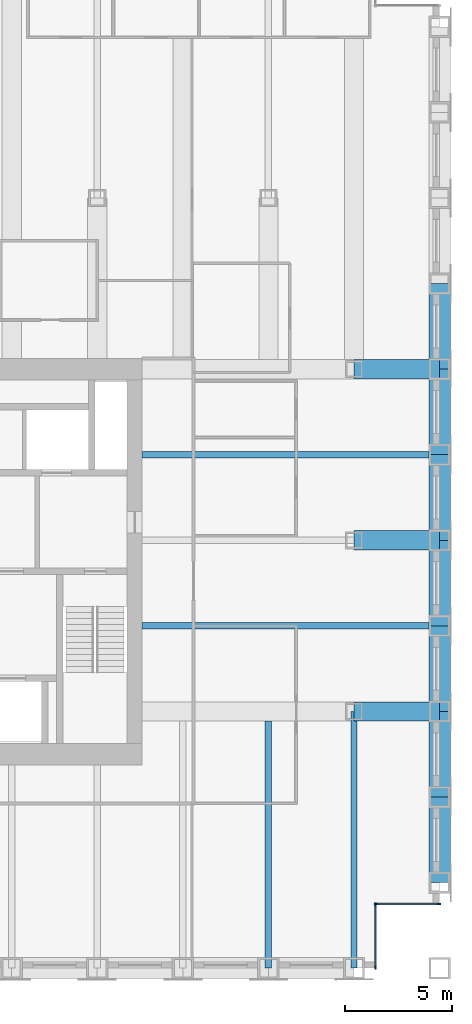
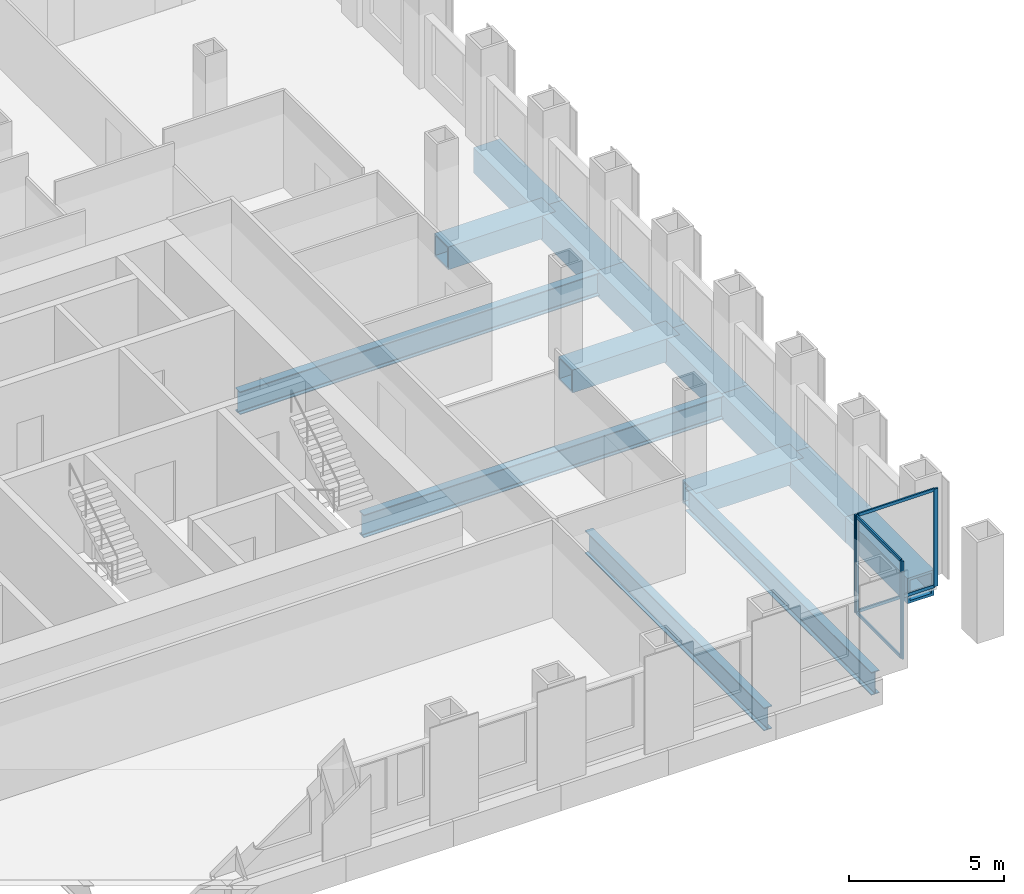
# One storey, part 4 of 13: 14 beams, 8 members, 2 elements without a shape of their own.
"""IFC4 building model written with IfcOpenShell, lengths in metres."""

from ifc_helpers import new_model, si_unit, direction, frame, origin, origin_2d, place, context, subcontext, project, spatial, rectangle, hollow_rectangle, i_section, extrude, material, material_profile, profile_set, type_object, element, aggregate, save


model = new_model("IFC4")

# Units and contexts
model_context = context("Model", 3, precision=1e-05, world=origin(), true_north=direction((0.0, 1.0)))
body_context = subcontext(model_context, "Body", "Model", "MODEL_VIEW")
ifc_project = project(units=[si_unit("LENGTHUNIT", "METRE"), si_unit("AREAUNIT", "SQUARE_METRE"), si_unit("VOLUMEUNIT", "CUBIC_METRE"), si_unit("PLANEANGLEUNIT", "RADIAN"), si_unit("MASSUNIT", "GRAM", prefix="KILO")], contexts=[model_context])

# Site, building, storey
site_placement = place(None, origin())
site = spatial("IfcSite", under=ifc_project, at=site_placement, CompositionType="ELEMENT")
building_placement = place(site_placement, origin())
building = spatial("IfcBuilding", under=site, at=building_placement, Name="Rimbunsela Tower", CompositionType="ELEMENT")
storey_placement = place(building_placement, frame((0.0, 0.0, 214.199951171875)))
storey = spatial("IfcBuildingStorey", under=building, at=storey_placement, Name="L51", CompositionType="ELEMENT", Elevation=214.199951171875)

# Beams
ifc_material_1 = material(Name="Steel BJ 55 (fy 410 MPa)", Category="steel")
ifc_material_profile_1 = material_profile(ifc_material_1, hollow_rectangle(XDim=1.0, YDim=1.0, WallThickness=0.10009765625, at=origin_2d()), Name="BOX 1000x1000x100")
ifc_profile_set_1 = profile_set([ifc_material_profile_1], Name="Steel BJ 55 (fy 410 MPa)")
beam_type_1 = type_object("IfcBeamType", Name="Beam BOX 1000x1000x100", PredefinedType="BEAM", material=ifc_profile_set_1)
for number, where, z_axis, x_axis, name in (
    (1, (50.0, 12.0, -0.64990234375), (0.0, 1.0, 0.0), (-1.0, 0.0, 0.0), "Beam B3 L51"),
    (2, (50.0, 16.0, -0.64990234375), (0.0, 1.0, 0.0), (-1.0, 0.0, 0.0), "Beam B3 L51"),
    (3, (50.0, 20.0, -0.64990234375), (0.0, 1.0, 0.0), (-1.0, 0.0, 0.0), "Beam B3 L51"),
    (4, (50.0, 24.0, -0.64990234375), (0.0, 1.0, 0.0), (-1.0, 0.0, 0.0), "Beam B3 L51"),
    (5, (50.0, 28.0, -0.64990234375), (0.0, 1.0, 0.0), (-1.0, 0.0, 0.0), "Beam B3 L51"),
    (6, (50.0, 32.0, -0.64990234375), (0.0, 1.0, 0.0), (-1.0, 0.0, 0.0), "Beam B3 L51"),
    (7, (50.0, 36.0, -0.64990234375), (0.0, 1.0, 0.0), (-1.0, 0.0, 0.0), "Beam B3 L51"),
):
    element("IfcBeam", number, at=place(storey_placement, frame(where, z_axis=z_axis, x_axis=x_axis)), inside=storey, type_object=beam_type_1, Name=name, PredefinedType="BEAM", context=body_context, shape_type="SweptSolid", body=[
        extrude(hollow_rectangle(XDim=1.0, YDim=1.0, WallThickness=0.10009765625, at=origin_2d()), origin(), (0.0, 0.0, 1.0), 4.0),
    ])
ifc_material_2 = material(Name="Steel BJ 55 (fy 410 MPa)", Category="steel")
ifc_material_profile_2 = material_profile(ifc_material_2, hollow_rectangle(XDim=0.89990234375, YDim=0.89990234375, WallThickness=0.06005859375, at=origin_2d()), Name="BOX 900x900x60")
ifc_profile_set_2 = profile_set([ifc_material_profile_2], Name="Steel BJ 55 (fy 410 MPa)")
beam_type_2 = type_object("IfcBeamType", Name="Beam BOX 900x900x60", PredefinedType="BEAM", material=ifc_profile_set_2)
for number, where, z_axis, x_axis, name in (
    (8, (46.0, 20.0, -0.599853515625), (1.0, 0.0, 0.0), (0.0, 1.0, 0.0), "Beam B1 L51"),
    (9, (46.0, 28.0, -0.599853515625), (1.0, 0.0, 0.0), (0.0, 1.0, 0.0), "Beam B1 L51"),
    (10, (46.0, 36.0, -0.599853515625), (1.0, 0.0, 0.0), (0.0, 1.0, 0.0), "Beam B1 L51"),
):
    element("IfcBeam", number, at=place(storey_placement, frame(where, z_axis=z_axis, x_axis=x_axis)), inside=storey, type_object=beam_type_2, Name=name, PredefinedType="BEAM", context=body_context, shape_type="SweptSolid", body=[
        extrude(hollow_rectangle(XDim=0.89990234375, YDim=0.89990234375, WallThickness=0.06005859375, at=origin_2d()), origin(), (0.0, 0.0, 1.0), 4.0),
    ])
ifc_material_3 = material(Name="Steel BJ 55 (fy 410 MPa)", Category="steel")
ifc_material_profile_3 = material_profile(ifc_material_3, i_section(OverallWidth=0.300048828125, OverallDepth=0.89990234375, WebThickness=0.01611328125, FlangeThickness=0.028076171875, FilletRadius=0.028076171875, at=origin_2d()), Name="H 900x300x16x28")
ifc_profile_set_3 = profile_set([ifc_material_profile_3], Name="Steel BJ 55 (fy 410 MPa)")
beam_type_3 = type_object("IfcBeamType", Name="Beam H 900x300x16x28", PredefinedType="BEAM", material=ifc_profile_set_3)
for number, where, z_axis, x_axis, name in (
    (11, (36.10009765625, 24.0, -0.599853515625), (1.0, 0.0, 0.0), (0.0, 1.0, 0.0), "Beam B2 L51"),
    (12, (36.10009765625, 32.0, -0.599853515625), (1.0, 0.0, 0.0), (0.0, 1.0, 0.0), "Beam B2 L51"),
):
    element("IfcBeam", number, at=place(storey_placement, frame(where, z_axis=z_axis, x_axis=x_axis)), inside=storey, type_object=beam_type_3, Name=name, PredefinedType="BEAM", context=body_context, shape_type="SweptSolid", body=[
        extrude(i_section(OverallWidth=0.300048828125, OverallDepth=0.89990234375, WebThickness=0.01611328125, FlangeThickness=0.028076171875, FilletRadius=0.028076171875, at=origin_2d()), origin(), (0.0, 0.0, 1.0), 13.89990234375),
    ])
beam_1_placement = place(storey_placement, frame((42.0, 8.0, -0.599853515625), z_axis=(0.0, 1.0, 0.0), x_axis=(-1.0, 0.0, 0.0)))
element("IfcBeam", 13, at=beam_1_placement, inside=storey, type_object=beam_type_3, Name="Beam B2 L51", PredefinedType="BEAM", context=body_context, shape_type="SweptSolid", body=[
    extrude(i_section(OverallWidth=0.300048828125, OverallDepth=0.89990234375, WebThickness=0.01611328125, FlangeThickness=0.028076171875, FilletRadius=0.028076171875, at=origin_2d()), origin(), (0.0, 0.0, 1.0), 11.550048828125),
])
beam_2_placement = place(storey_placement, frame((46.0, 8.0, -0.599853515625), z_axis=(0.0, 1.0, 0.0), x_axis=(-1.0, 0.0, 0.0)))
element("IfcBeam", 14, at=beam_2_placement, inside=storey, type_object=beam_type_3, Name="Beam B2 L51", PredefinedType="BEAM", context=body_context, shape_type="SweptSolid", body=[
    extrude(i_section(OverallWidth=0.300048828125, OverallDepth=0.89990234375, WebThickness=0.01611328125, FlangeThickness=0.028076171875, FilletRadius=0.028076171875, at=origin_2d()), origin(), (0.0, 0.0, 1.0), 12.0),
])

# Curtain wall, members
ifc_material_4 = material(Name="Aluminium curtain wall", Category="aluminium")
curtain_wall_type = type_object("IfcCurtainWallType", Name="Corner glazing", PredefinedType="USERDEFINED", material=ifc_material_4)
curtain_wall_1_placement = place(storey_placement, origin())
curtain_wall_1 = element("IfcCurtainWall", 15, at=curtain_wall_1_placement, inside=storey, type_object=curtain_wall_type, Name="Corner glazing L51", ObjectType="CORNER GLAZING", PredefinedType="USERDEFINED")
ifc_material_5 = material(Name="Aluminium mullion", Category="aluminium")
ifc_material_profile_4 = material_profile(ifc_material_5, rectangle(XDim=0.06005859375, YDim=0.159912109375, at=origin_2d()), Name="Mullion 60x160")
ifc_profile_set_4 = profile_set([ifc_material_profile_4], Name="Aluminium mullion")
member_type_1 = type_object("IfcMemberType", Name="Curtain wall mullion 60x160", PredefinedType="MULLION", material=ifc_profile_set_4)
member_1_placement = place(storey_placement, frame((47.0, 8.030029296875, 0.0), z_axis=(0.0, 0.0, 1.0), x_axis=(-1.0, 0.0, 0.0)))
member_1 = element("IfcMember", 16, at=member_1_placement, type_object=member_type_1, Name="CW5 mullion 1", PredefinedType="MULLION", context=body_context, shape_type="SweptSolid", body=[
    extrude(rectangle(XDim=0.06005859375, YDim=0.159912109375, at=origin_2d()), origin(), (0.0, 0.0, 1.0), 3.85009765625),
])
member_2_placement = place(storey_placement, frame((47.0, 10.969970703125, 0.0), z_axis=(0.0, 0.0, 1.0), x_axis=(-1.0, 0.0, 0.0)))
member_2 = element("IfcMember", 17, at=member_2_placement, type_object=member_type_1, Name="CW5 mullion 2", PredefinedType="MULLION", context=body_context, shape_type="SweptSolid", body=[
    extrude(rectangle(XDim=0.06005859375, YDim=0.159912109375, at=origin_2d()), origin(), (0.0, 0.0, 1.0), 3.85009765625),
])

curtain_wall_2_placement = place(storey_placement, origin())
curtain_wall_2 = element("IfcCurtainWall", 18, at=curtain_wall_2_placement, inside=storey, type_object=curtain_wall_type, Name="Corner glazing L51", ObjectType="CORNER GLAZING", PredefinedType="USERDEFINED")
member_3_placement = place(storey_placement, frame((47.030029296875, 11.0, 0.0), z_axis=(0.0, 0.0, 1.0), x_axis=(0.0, 1.0, 0.0)))
member_3 = element("IfcMember", 19, at=member_3_placement, type_object=member_type_1, Name="CW5 mullion 1", PredefinedType="MULLION", context=body_context, shape_type="SweptSolid", body=[
    extrude(rectangle(XDim=0.06005859375, YDim=0.159912109375, at=origin_2d()), origin(), (0.0, 0.0, 1.0), 3.85009765625),
])
member_4_placement = place(storey_placement, frame((49.969970703125, 11.0, 0.0), z_axis=(0.0, 0.0, 1.0), x_axis=(0.0, 1.0, 0.0)))
member_4 = element("IfcMember", 20, at=member_4_placement, type_object=member_type_1, Name="CW5 mullion 2", PredefinedType="MULLION", context=body_context, shape_type="SweptSolid", body=[
    extrude(rectangle(XDim=0.06005859375, YDim=0.159912109375, at=origin_2d()), origin(), (0.0, 0.0, 1.0), 3.85009765625),
])

# Member
ifc_material_6 = material(Name="Aluminium transom", Category="aluminium")
ifc_material_profile_5 = material_profile(ifc_material_6, rectangle(XDim=0.06005859375, YDim=0.1201171875, at=origin_2d()), Name="Transom 60x120")
ifc_profile_set_5 = profile_set([ifc_material_profile_5], Name="Aluminium transom")
member_type_2 = type_object("IfcMemberType", Name="Curtain wall transom 60x120", PredefinedType="USERDEFINED", material=ifc_profile_set_5)
member_5_placement = place(storey_placement, frame((47.0, 8.06005859375, 0.030029296875), z_axis=(0.0, 1.0, 0.0), x_axis=(-1.0, 0.0, 0.0)))
member_5 = element("IfcMember", 21, at=member_5_placement, type_object=member_type_2, Name="CW5 transom 1.1", ObjectType="TRANSOM", PredefinedType="USERDEFINED", context=body_context, shape_type="SweptSolid", body=[
    extrude(rectangle(XDim=0.06005859375, YDim=0.1201171875, at=origin_2d()), origin(), (0.0, 0.0, 1.0), 2.8798828125),
])

member_6_placement = place(storey_placement, frame((47.0, 8.06005859375, 3.820068359375), z_axis=(0.0, 1.0, 0.0), x_axis=(-1.0, 0.0, 0.0)))
member_6 = element("IfcMember", 22, at=member_6_placement, type_object=member_type_2, Name="CW5 transom 1.2", ObjectType="TRANSOM", PredefinedType="USERDEFINED", context=body_context, shape_type="SweptSolid", body=[
    extrude(rectangle(XDim=0.06005859375, YDim=0.1201171875, at=origin_2d()), origin(), (0.0, 0.0, 1.0), 2.8798828125),
])

aggregate(curtain_wall_1, [member_1, member_2, member_5, member_6])

member_7_placement = place(storey_placement, frame((47.06005859375, 11.0, 0.030029296875), z_axis=(1.0, 0.0, 0.0), x_axis=(0.0, 1.0, 0.0)))
member_7 = element("IfcMember", 23, at=member_7_placement, type_object=member_type_2, Name="CW5 transom 1.1", ObjectType="TRANSOM", PredefinedType="USERDEFINED", context=body_context, shape_type="SweptSolid", body=[
    extrude(rectangle(XDim=0.06005859375, YDim=0.1201171875, at=origin_2d()), origin(), (0.0, 0.0, 1.0), 2.8798828125),
])

member_8_placement = place(storey_placement, frame((47.06005859375, 11.0, 3.820068359375), z_axis=(1.0, 0.0, 0.0), x_axis=(0.0, 1.0, 0.0)))
member_8 = element("IfcMember", 24, at=member_8_placement, type_object=member_type_2, Name="CW5 transom 1.2", ObjectType="TRANSOM", PredefinedType="USERDEFINED", context=body_context, shape_type="SweptSolid", body=[
    extrude(rectangle(XDim=0.06005859375, YDim=0.1201171875, at=origin_2d()), origin(), (0.0, 0.0, 1.0), 2.8798828125),
])

aggregate(curtain_wall_2, [member_3, member_4, member_7, member_8])

save(model, "model.ifc")
